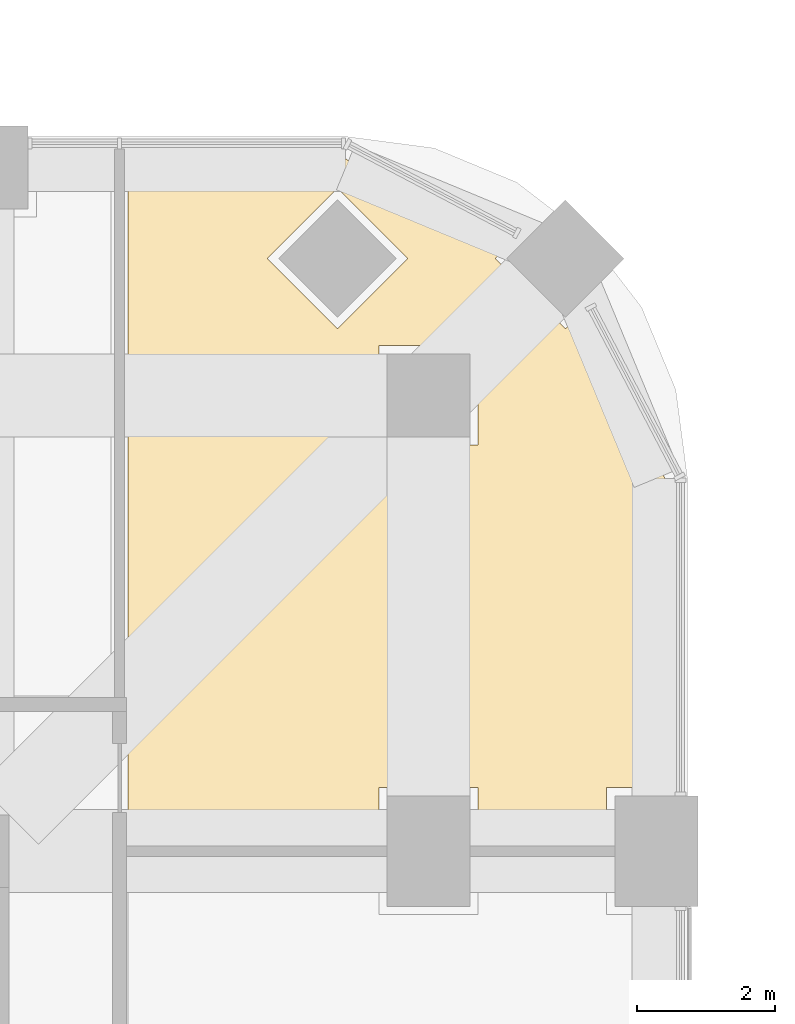
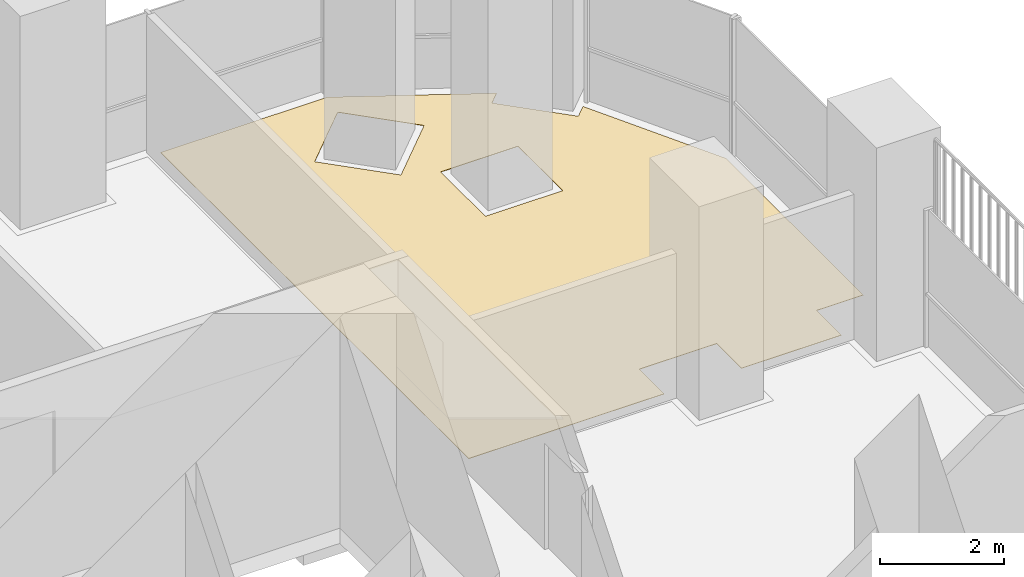
# One storey, part 19 of 20: 1 covering.
"""IFC4 building model written with IfcOpenShell, lengths in metres."""

import ifcopenshell
import ifcopenshell.guid

model = None  # the IFC model being written
_history = None  # IfcOwnerHistory: only IFC2X3 demands one
_inside = {}  # id of a spatial element -> (the spatial element, [elements in it])
_under = {}  # id of a project, library or spatial element -> (it, [spatial elements below it])
_declared = {}  # id of a project -> (the project, [libraries it declares])
_typed = {}  # id of a type object -> (the type object, [elements of that type])
_made_of = {}  # id of a material, layer set ... -> (it, [elements and type objects made of it])


def new_model(schema):
    """Start an empty IFC model of exactly this schema.

    Asked for "IFC4X3", IfcOpenShell would pick the latest addendum, in which some entities
    have other attributes; the version numbers below select the first issue.
    IFC2X3 requires an IfcOwnerHistory on every rooted entity: one is made here for all.
    """
    global model, _history
    if schema == "IFC4X3":
        model = ifcopenshell.file(schema_version=(4, 3, 0, 0))
    else:
        model = ifcopenshell.file(schema=schema)
    _inside.clear()
    _under.clear()
    _declared.clear()
    _typed.clear()
    _made_of.clear()
    _history = None
    if model.schema == "IFC2X3":
        org = make("IfcOrganization", Name="unknown")
        user = make(
            "IfcPersonAndOrganization",
            ThePerson=make("IfcPerson", FamilyName="unknown"),
            TheOrganization=org,
        )
        app = make(
            "IfcApplication",
            ApplicationDeveloper=org,
            Version="unknown",
            ApplicationFullName="unknown",
            ApplicationIdentifier="unknown",
        )
        _history = make(
            "IfcOwnerHistory",
            OwningUser=user,
            OwningApplication=app,
            ChangeAction="ADDED",
            CreationDate=0,
        )
    return model


def make(cls, **values):
    """One entity of the class cls with the attributes given. An attribute that is None is left unset."""
    return model.create_entity(
        cls, **{name: value for name, value in values.items() if value is not None}
    )


def rooted(cls, **values):
    """An entity with a GlobalId (a new one), such as an element, a storey or a relation."""
    return make(cls, GlobalId=ifcopenshell.guid.new(), OwnerHistory=_history, **values)


def si_unit(unit_type, name, prefix=None):
    """IfcSIUnit, for example si_unit("LENGTHUNIT", "METRE", prefix="MILLI")."""
    return make("IfcSIUnit", UnitType=unit_type, Prefix=prefix, Name=name)


def assignment(units):
    """IfcUnitAssignment: the units of a project."""
    return None if units is None else make("IfcUnitAssignment", Units=units)


def point(xyz):
    """IfcCartesianPoint."""
    return None if xyz is None else make("IfcCartesianPoint", Coordinates=xyz)


def direction(xyz):
    """IfcDirection."""
    return None if xyz is None else make("IfcDirection", DirectionRatios=xyz)


def frame(location, z_axis=None, x_axis=None):
    """IfcAxis2Placement3D, a coordinate frame: its origin and axes. An axis left out is left unset."""
    return make(
        "IfcAxis2Placement3D",
        Location=point(location),
        Axis=direction(z_axis),
        RefDirection=direction(x_axis),
    )


def origin():
    """The frame at (0, 0, 0) with its axes left unset."""
    return frame((0.0, 0.0, 0.0))


def place(relative_to, where):
    """IfcLocalPlacement: puts the frame where relative to a parent placement (None: the world)."""
    return make(
        "IfcLocalPlacement", PlacementRelTo=relative_to, RelativePlacement=where
    )


def context(
    kind, dimensions, precision=None, world=None, true_north=None, identifier=None
):
    """IfcGeometricRepresentationContext, for example the 3D "Model" context."""
    return make(
        "IfcGeometricRepresentationContext",
        ContextIdentifier=identifier,
        ContextType=kind,
        CoordinateSpaceDimension=dimensions,
        Precision=precision,
        WorldCoordinateSystem=world,
        TrueNorth=true_north,
    )


def subcontext(parent, identifier, kind, view, scale=None):
    """IfcGeometricRepresentationSubContext, for example "Body" below "Model"."""
    return make(
        "IfcGeometricRepresentationSubContext",
        ContextIdentifier=identifier,
        ContextType=kind,
        ParentContext=parent,
        TargetScale=scale,
        TargetView=view,
    )


def project(units=None, contexts=None):
    """IfcProject with its units and contexts."""
    return rooted(
        "IfcProject",
        Name="project",
        RepresentationContexts=contexts,
        UnitsInContext=assignment(units),
    )


def spatial(cls, under=None, at=None, **own):
    """A site, building, storey or space (cls), placed at a placement, below another one or the project."""
    s = rooted(cls, ObjectPlacement=at, **own)
    if under is not None:
        _under.setdefault(under.id(), (under, []))[1].append(s)
    return s


def polyline(points):
    """IfcPolyline through the points."""
    return make("IfcPolyline", Points=[point(p) for p in points])


def outline(outer, holes=None, kind="AREA"):
    """IfcArbitraryClosedProfileDef: a profile drawn as a closed curve; with holes, ...WithVoids."""
    if holes is None:
        return make("IfcArbitraryClosedProfileDef", ProfileType=kind, OuterCurve=outer)
    return make(
        "IfcArbitraryProfileDefWithVoids",
        ProfileType=kind,
        OuterCurve=outer,
        InnerCurves=holes,
    )


def extrude(swept, where, along, depth):
    """IfcExtrudedAreaSolid: the profile swept, set in the frame where, extruded along a direction by depth."""
    return make(
        "IfcExtrudedAreaSolid",
        SweptArea=swept,
        Position=where,
        ExtrudedDirection=direction(along),
        Depth=depth,
    )


def shape(context_of_items, identifier, shape_type, items):
    """IfcShapeRepresentation: the items that make up one representation, for example the "Body"."""
    return make(
        "IfcShapeRepresentation",
        ContextOfItems=context_of_items,
        RepresentationIdentifier=identifier,
        RepresentationType=shape_type,
        Items=items,
    )


def material(Name=None, Category=None):
    """IfcMaterial."""
    return make("IfcMaterial", Name=Name, Category=Category)


def layer(
    of_material, thickness, ventilated=None, Name=None, Category=None, Priority=None
):
    """IfcMaterialLayer: one layer of a wall or slab, of a material (None: an air gap)."""
    return make(
        "IfcMaterialLayer",
        Material=of_material,
        LayerThickness=thickness,
        IsVentilated=ventilated,
        Name=Name,
        Category=Category,
        Priority=Priority,
    )


def layer_set(layers, Name=None):
    """IfcMaterialLayerSet."""
    return make("IfcMaterialLayerSet", MaterialLayers=layers, LayerSetName=Name)


def made_of(thing, what):
    """Note that an element or type object is made of a material, layer set ...; save() writes the relation."""
    if what is not None:
        _made_of.setdefault(what.id(), (what, []))[1].append(thing)
    return thing


def type_object(cls, material=None, **own):
    """A type object (cls), such as IfcWallType, which elements share."""
    return made_of(rooted(cls, **own), material)


def element(
    cls,
    number,
    at=None,
    inside=None,
    cuts=None,
    type_object=None,
    material=None,
    context=None,
    identifier="Body",
    shape_type=None,
    held_by="IfcProductDefinitionShape",
    body=None,
    shapes=None,
    **own,
):
    """One element of the class cls, such as IfcWall. Its Tag is "e" and its number.

    at: its placement. inside: the storey or other place that contains it. cuts: it is an
    opening in that element (IfcRelVoidsElement). A single representation is given by context,
    identifier, shape_type and body (its items); several are given by shapes. held_by: the class
    of the entity that holds the representations. save() writes the other relations.
    """
    e = rooted(cls, Tag="e%d" % number, ObjectPlacement=at, **own)
    if body is not None:
        shapes = [shape(context, identifier, shape_type, body)]
    if shapes is not None:
        e.Representation = make(held_by, Representations=shapes)
    if inside is not None:
        _inside.setdefault(inside.id(), (inside, []))[1].append(e)
    if cuts is not None:
        rooted(
            "IfcRelVoidsElement", RelatingBuildingElement=cuts, RelatedOpeningElement=e
        )
    if type_object is not None:
        _typed.setdefault(type_object.id(), (type_object, []))[1].append(e)
    return made_of(e, material)


def aggregate(whole, parts):
    """IfcRelAggregates: a whole, such as a stair, and the parts it consists of."""
    return rooted("IfcRelAggregates", RelatingObject=whole, RelatedObjects=parts)


def save(model, path):
    """Write the relations noted so far, then the file.

    IfcRelAggregates (storeys below a building ...), IfcRelContainedInSpatialStructure (elements
    in a storey), IfcRelDefinesByType, IfcRelAssociatesMaterial and IfcRelDeclares: one each for
    every whole, place, type object, material and project.
    """
    for whole, parts in _under.values():
        aggregate(whole, parts)
    for where, things in _inside.values():
        rooted(
            "IfcRelContainedInSpatialStructure",
            RelatedElements=things,
            RelatingStructure=where,
        )
    for kind, things in _typed.values():
        rooted("IfcRelDefinesByType", RelatedObjects=things, RelatingType=kind)
    for what, things in _made_of.values():
        rooted("IfcRelAssociatesMaterial", RelatedObjects=things, RelatingMaterial=what)
    for by, libraries in _declared.values():
        rooted("IfcRelDeclares", RelatingContext=by, RelatedDefinitions=libraries)
    model.write(path)


model = new_model("IFC4")

# Units and contexts
model_context = context("Model", 3, precision=1e-05, world=origin(), true_north=direction((0.0, 1.0)))
body_context = subcontext(model_context, "Body", "Model", "MODEL_VIEW")
ifc_project = project(units=[si_unit("LENGTHUNIT", "METRE"), si_unit("AREAUNIT", "SQUARE_METRE"), si_unit("VOLUMEUNIT", "CUBIC_METRE"), si_unit("PLANEANGLEUNIT", "RADIAN"), si_unit("MASSUNIT", "GRAM", prefix="KILO")], contexts=[model_context])

# Site, building, storey
site_placement = place(None, origin())
site = spatial("IfcSite", under=ifc_project, at=site_placement, CompositionType="ELEMENT")
building_placement = place(site_placement, origin())
building = spatial("IfcBuilding", under=site, at=building_placement, Name="Cobogo Forest Laboratory Tower", CompositionType="ELEMENT")
storey_placement = place(building_placement, frame((0.0, 0.0, 168.300048828125)))
storey = spatial("IfcBuildingStorey", under=building, at=storey_placement, Name="L38", CompositionType="ELEMENT", Elevation=168.300048828125)

# Covering
ifc_material = material(Name="Carpet tile on raised access floor", Category="flooring")
ifc_layer = layer(ifc_material, 0.008056640625)
ifc_layer_set = layer_set([ifc_layer], Name="CT1 carpet tile floor 8")
covering_type = type_object("IfcCoveringType", Name="CT1 carpet tile floor 8", PredefinedType="FLOORING", material=ifc_layer_set)
covering_placement = place(storey_placement, origin())
element("IfcCovering", 1, at=covering_placement, inside=storey, type_object=covering_type, Name="Carpet floor L38-10", PredefinedType="FLOORING", context=body_context, shape_type="SweptSolid", body=[
    extrude(outline(polyline([(41.844970703125, 43.050048828125), (44.95068359375, 43.050048828125), (47.36572265625, 41.783935546875), (47.163818359375, 41.58203125), (48.181884765625, 40.563720703125), (48.384033203125, 40.765869140625), (49.64990234375, 38.350830078125), (49.64990234375, 33.919921875), (48.780029296875, 33.919921875), (48.780029296875, 33.1201171875), (46.919921875, 33.1201171875), (46.919921875, 33.919921875), (45.47998046875, 33.919921875), (45.47998046875, 33.1201171875), (41.844970703125, 33.1201171875), (41.844970703125, 43.050048828125)]), holes=[polyline([(45.47998046875, 40.320068359375), (45.47998046875, 38.8798828125), (46.919921875, 38.8798828125), (46.919921875, 40.320068359375), (45.47998046875, 40.320068359375)]), polyline([(44.882080078125, 40.563720703125), (45.900146484375, 41.58203125), (44.882080078125, 42.60009765625), (43.86376953125, 41.58203125), (44.882080078125, 40.563720703125)])]), origin(), (0.0, 0.0, 1.0), 0.008056640625),
])

save(model, "model.ifc")
